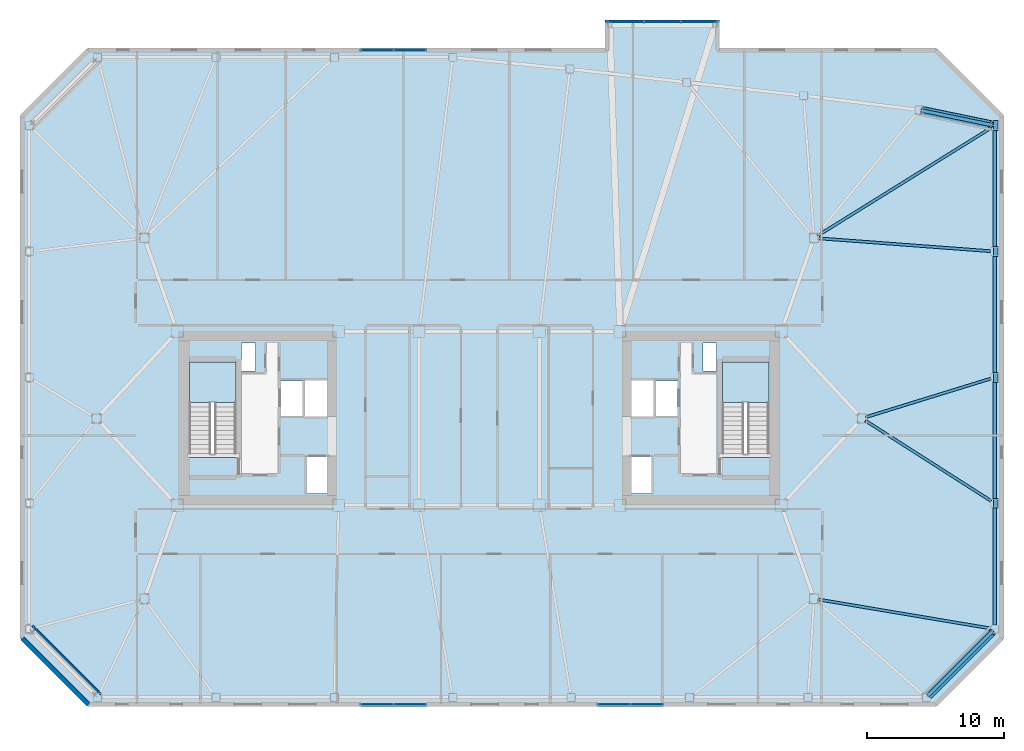
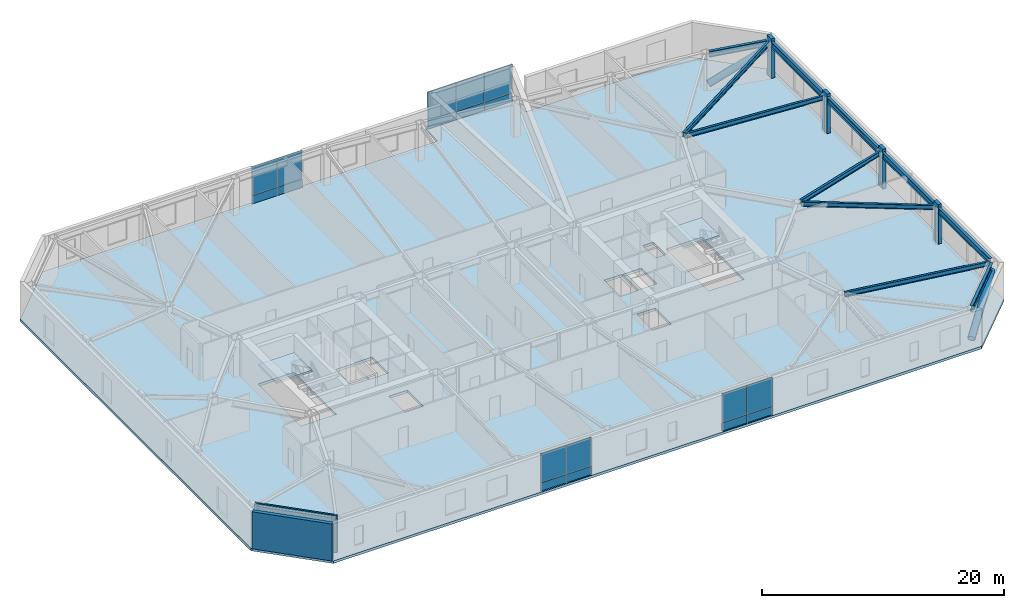
# One storey, part 11 of 20: 18 plates, 11 beams, 6 members, 3 slabs, 2 walls, 6 elements without a shape of their own.
"""IFC4 building model written with IfcOpenShell, lengths in metres."""

from ifc_helpers import new_model, si_unit, direction, frame, frame_2d, origin, origin_2d, place, context, subcontext, project, spatial, polyline, rectangle, hollow_circle, i_section, outline, extrude, material, layer, layer_set, material_profile, profile_set, type_object, element, aggregate, save


model = new_model("IFC4")

# Units and contexts
model_context = context("Model", 3, precision=1e-05, world=origin(), true_north=direction((0.0, 1.0)))
body_context = subcontext(model_context, "Body", "Model", "MODEL_VIEW")
ifc_project = project(units=[si_unit("LENGTHUNIT", "METRE"), si_unit("AREAUNIT", "SQUARE_METRE"), si_unit("VOLUMEUNIT", "CUBIC_METRE"), si_unit("PLANEANGLEUNIT", "RADIAN"), si_unit("MASSUNIT", "GRAM", prefix="KILO")], contexts=[model_context])

# Site, building, storey
site_placement = place(None, origin())
site = spatial("IfcSite", under=ifc_project, at=site_placement, CompositionType="ELEMENT")
building_placement = place(site_placement, origin())
building = spatial("IfcBuilding", under=site, at=building_placement, Name="Tavrogorsk Clinical Tower", CompositionType="ELEMENT")
storey_placement = place(building_placement, frame((0.0, 0.0, 176.199951171875)))
storey = spatial("IfcBuildingStorey", under=building, at=storey_placement, Name="L40", CompositionType="ELEMENT", Elevation=176.199951171875)

# Members
ifc_material_1 = material(Name="Structural steel S440", Category="steel")
ifc_material_profile_1 = material_profile(ifc_material_1, hollow_circle(Radius=0.304931640625, WallThickness=0.02490234375, at=origin_2d()), Name="CHS-610x25")
ifc_profile_set_1 = profile_set([ifc_material_profile_1], Name="Structural steel S440")
member_type_1 = type_object("IfcMemberType", Name="ExoBrace_CHS610", PredefinedType="BRACE", material=ifc_profile_set_1)
member_1_placement = place(storey_placement, frame((32.922607421875, -20.217529296875, 0.4130859375), z_axis=(0.657738695475, 0.657773644396, 0.3670335696), x_axis=(-0.707125566484, 0.70708799539, 0.0)))
element("IfcMember", 1, at=member_1_placement, inside=storey, type_object=member_type_1, Name="L40 Corner Exoskeleton Brace S8-E1", PredefinedType="BRACE", context=body_context, shape_type="SweptSolid", body=[
    extrude(hollow_circle(Radius=0.304931640625, WallThickness=0.02490234375, at=origin_2d()), origin(), (0.0, 0.0, 1.0), 6.985595703125),
])
member_2_placement = place(storey_placement, frame((32.461669921875, 22.509765625, 0.4365234375), z_axis=(0.877871206027, -0.181924853718, 0.442996042002), x_axis=(0.202922555913, 0.979194789764, 0.0)))
element("IfcMember", 2, at=member_2_placement, inside=storey, type_object=member_type_1, Name="L40 Corner Exoskeleton Brace E5-N1", PredefinedType="BRACE", context=body_context, shape_type="SweptSolid", body=[
    extrude(hollow_circle(Radius=0.304931640625, WallThickness=0.02490234375, at=origin_2d()), origin(), (0.0, 0.0, 1.0), 5.681884765625),
])

# Beams
ifc_material_2 = material(Name="Structural steel S355", Category="steel")
ifc_material_profile_2 = material_profile(ifc_material_2, i_section(OverallWidth=0.199951171875, OverallDepth=0.449951171875, WebThickness=0.011474609375, FlangeThickness=0.01806640625, at=origin_2d()), Name="B-450x200x11.5x18")
ifc_profile_set_2 = profile_set([ifc_material_profile_2], Name="Structural steel S355")
beam_type_1 = type_object("IfcBeamType", Name="FloorBeam_B450", PredefinedType="BEAM", material=ifc_profile_set_2)
beam_1_placement = place(storey_placement, frame((24.8056640625, -13.251220703125, 3.51513671875), z_axis=(0.986191418361, -0.165609439197, 0.0), x_axis=(0.165609439197, 0.986191418361, 0.0)))
element("IfcBeam", 3, at=beam_1_placement, inside=storey, type_object=beam_type_1, Name="L40 Radial Floor Beam E1", PredefinedType="BEAM", context=body_context, shape_type="SweptSolid", body=[
    extrude(i_section(OverallWidth=0.199951171875, OverallDepth=0.449951171875, WebThickness=0.011474609375, FlangeThickness=0.01806640625, at=origin_2d()), origin(), (0.0, 0.0, 1.0), 12.787109375),
])
beam_2_placement = place(storey_placement, frame((28.26123046875, -0.1669921875, 3.51513671875), z_axis=(0.842699642064, -0.538383983106, 0.0), x_axis=(0.538383983106, 0.842699642064, 0.0)))
element("IfcBeam", 4, at=beam_2_placement, inside=storey, type_object=beam_type_1, Name="L40 Radial Floor Beam E2", PredefinedType="BEAM", context=body_context, shape_type="SweptSolid", body=[
    extrude(i_section(OverallWidth=0.199951171875, OverallDepth=0.449951171875, WebThickness=0.011474609375, FlangeThickness=0.01806640625, at=origin_2d()), origin(), (0.0, 0.0, 1.0), 10.916259765625),
])
beam_3_placement = place(storey_placement, frame((28.296142578125, 0.09130859375, 3.51513671875), z_axis=(0.955521187686, 0.294922464187, 0.0), x_axis=(-0.294922464187, 0.955521187686, 0.0)))
element("IfcBeam", 5, at=beam_3_placement, inside=storey, type_object=beam_type_1, Name="L40 Radial Floor Beam E3", PredefinedType="BEAM", context=body_context, shape_type="SweptSolid", body=[
    extrude(i_section(OverallWidth=0.199951171875, OverallDepth=0.449951171875, WebThickness=0.011474609375, FlangeThickness=0.01806640625, at=origin_2d()), origin(), (0.0, 0.0, 1.0), 9.5546875),
])
beam_4_placement = place(storey_placement, frame((24.80908203125, 13.1767578125, 3.51513671875), z_axis=(0.997207767172, -0.074677098845, 0.0), x_axis=(0.074677098845, 0.997207767172, 0.0)))
element("IfcBeam", 6, at=beam_4_placement, inside=storey, type_object=beam_type_1, Name="L40 Radial Floor Beam E4", PredefinedType="BEAM", context=body_context, shape_type="SweptSolid", body=[
    extrude(i_section(OverallWidth=0.199951171875, OverallDepth=0.449951171875, WebThickness=0.011474609375, FlangeThickness=0.01806640625, at=origin_2d()), origin(), (0.0, 0.0, 1.0), 12.63916015625),
])
beam_5_placement = place(storey_placement, frame((24.76318359375, 13.36376953125, 3.51513671875), z_axis=(0.849229115923, 0.528024534154, 0.0), x_axis=(-0.528024534154, 0.849229115923, 0.0)))
element("IfcBeam", 7, at=beam_5_placement, inside=storey, type_object=beam_type_1, Name="L40 Radial Floor Beam E5", PredefinedType="BEAM", context=body_context, shape_type="SweptSolid", body=[
    extrude(i_section(OverallWidth=0.199951171875, OverallDepth=0.449951171875, WebThickness=0.011474609375, FlangeThickness=0.01806640625, at=origin_2d()), origin(), (0.0, 0.0, 1.0), 14.94921875),
])

# Members
ifc_material_3 = material(Name="Precast concrete B45 with limestone cladding", Category="masonry")
ifc_material_profile_3 = material_profile(ifc_material_3, rectangle(XDim=0.320068359375, YDim=0.719970703125, at=origin_2d()), Name="LIMESTONE-FIN-320x720")
ifc_profile_set_3 = profile_set([ifc_material_profile_3], Name="Precast concrete B45 with limestone cladding")
member_type_2 = type_object("IfcMemberType", Name="LimestonePleatFin_320x720", PredefinedType="USERDEFINED", material=ifc_profile_set_3)
for number, where, z_axis, x_axis, name in (
    (8, (37.800048828125, -6.2099609375, 0.0), (0.0, 0.0, 1.0), (1.0, 0.0, 0.0), "L40 E Pleated Stone Fin 1"),
    (9, (37.800048828125, 3.0, 0.0), (0.0, 0.0, 1.0), (1.0, 0.0, 0.0), "L40 E Pleated Stone Fin 2"),
    (10, (37.800048828125, 12.2099609375, 0.0), (0.0, 0.0, 1.0), (1.0, 0.0, 0.0), "L40 E Pleated Stone Fin 3"),
    (11, (37.800048828125, 21.419921875, 0.0), (0.0, 0.0, 1.0), (1.0, 0.0, 0.0), "L40 E Pleated Stone Fin 4"),
):
    element("IfcMember", number, at=place(storey_placement, frame(where, z_axis=z_axis, x_axis=x_axis)), inside=storey, type_object=member_type_2, Name=name, ObjectType="FIN", PredefinedType="USERDEFINED", context=body_context, shape_type="SweptSolid", body=[
        extrude(rectangle(XDim=0.320068359375, YDim=0.719970703125, at=origin_2d()), origin(), (0.0, 0.0, 1.0), 4.0),
    ])

# Beams
ifc_material_4 = material(Name="Structural steel S390", Category="steel")
ifc_material_profile_4 = material_profile(ifc_material_4, i_section(OverallWidth=0.260009765625, OverallDepth=0.60009765625, WebThickness=0.014892578125, FlangeThickness=0.02392578125, at=origin_2d()), Name="B-600x260x15x24")
ifc_profile_set_4 = profile_set([ifc_material_profile_4], Name="Structural steel S390")
beam_type_2 = type_object("IfcBeamType", Name="SpandrelBeam_B600", PredefinedType="SPANDREL", material=ifc_profile_set_4)
beam_6_placement = place(storey_placement, frame((32.937744140625, -20.2021484375, 3.43994140625), z_axis=(0.707106781187, 0.707106781187, 0.0), x_axis=(-0.707106781187, 0.707106781187, 0.0)))
element("IfcBeam", 12, at=beam_6_placement, inside=storey, type_object=beam_type_2, Name="L40 Perimeter Spandrel S8-E1", PredefinedType="SPANDREL", context=body_context, shape_type="SweptSolid", body=[
    extrude(i_section(OverallWidth=0.260009765625, OverallDepth=0.60009765625, WebThickness=0.014892578125, FlangeThickness=0.02392578125, at=origin_2d()), origin(), (0.0, 0.0, 1.0), 6.455078125),
])
for number, where, z_axis, x_axis, name in (
    (13, (37.719970703125, -15.112060546875, 3.43994140625), (0.0, 1.0, 0.0), (-1.0, 0.0, 0.0), "L40 Perimeter Spandrel E1-E2"),
    (14, (37.719970703125, -5.902099609375, 3.43994140625), (0.0, 1.0, 0.0), (-1.0, 0.0, 0.0), "L40 Perimeter Spandrel E2-E3"),
    (15, (37.719970703125, 3.30810546875, 3.43994140625), (0.0, 1.0, 0.0), (-1.0, 0.0, 0.0), "L40 Perimeter Spandrel E3-E4"),
    (16, (37.719970703125, 12.51806640625, 3.43994140625), (0.0, 1.0, 0.0), (-1.0, 0.0, 0.0), "L40 Perimeter Spandrel E4-E5"),
):
    element("IfcBeam", number, at=place(storey_placement, frame(where, z_axis=z_axis, x_axis=x_axis)), inside=storey, type_object=beam_type_2, Name=name, PredefinedType="SPANDREL", context=body_context, shape_type="SweptSolid", body=[
        extrude(i_section(OverallWidth=0.260009765625, OverallDepth=0.60009765625, WebThickness=0.014892578125, FlangeThickness=0.02392578125, at=origin_2d()), origin(), (0.0, 0.0, 1.0), 8.593994140625),
    ])
beam_7_placement = place(storey_placement, frame((37.41845703125, 21.482421875, 3.43994140625), z_axis=(-0.979184643877, 0.202971508337, 0.0), x_axis=(-0.202971508337, -0.979184643877, 0.0)))
element("IfcBeam", 17, at=beam_7_placement, inside=storey, type_object=beam_type_2, Name="L40 Perimeter Spandrel E5-N1", PredefinedType="SPANDREL", context=body_context, shape_type="SweptSolid", body=[
    extrude(i_section(OverallWidth=0.260009765625, OverallDepth=0.60009765625, WebThickness=0.014892578125, FlangeThickness=0.02392578125, at=origin_2d()), origin(), (0.0, 0.0, 1.0), 5.0302734375),
])

# Curtain wall, plates
ifc_material_5 = material(Name="Anodised aluminium and triple IGU glazing", Category="aluminium")
ifc_layer_1 = layer(ifc_material_5, 0.179931640625)
ifc_layer_set_1 = layer_set([ifc_layer_1], Name="Anodised aluminium and triple IGU glazing")
curtain_wall_type_1 = type_object("IfcCurtainWallType", Name="CW3_SouthSlot", PredefinedType="NOTDEFINED", material=ifc_layer_set_1)
curtain_wall_1_placement = place(storey_placement, origin())
curtain_wall_1 = element("IfcCurtainWall", 18, at=curtain_wall_1_placement, inside=storey, type_object=curtain_wall_type_1, Name="L40 Curtain Wall CW-L40-S-SLOT-1", PredefinedType="NOTDEFINED")
ifc_material_6 = material(Name="Honed Podolsk limestone spandrel panel", Category="masonry")
ifc_layer_2 = layer(ifc_material_6, 0.080078125)
ifc_layer_set_2 = layer_set([ifc_layer_2], Name="Honed Podolsk limestone spandrel panel")
plate_type_1 = type_object("IfcPlateType", Name="CwSpandrelStonePanel_80", PredefinedType="CURTAIN_PANEL", material=ifc_layer_set_2)
plate_1_placement = place(storey_placement, frame((-7.470947265625, -20.929931640625, 0.002197265625), z_axis=(0.0, 0.0, 1.0), x_axis=(1.0, 0.0, 0.0)))
plate_1 = element("IfcPlate", 19, at=plate_1_placement, type_object=plate_type_1, Name="CW-L40-S-SLOT-1 Stone Spandrel Panel 1", PredefinedType="CURTAIN_PANEL", context=body_context, shape_type="SweptSolid", body=[
    extrude(rectangle(XDim=2.39208984375, YDim=0.080078125, at=origin_2d()), origin(), (0.0, 0.0, 1.0), 0.8359375),
])
plate_2_placement = place(storey_placement, frame((-5.054931640625, -20.929931640625, 0.002197265625), z_axis=(0.0, 0.0, 1.0), x_axis=(1.0, 0.0, 0.0)))
plate_2 = element("IfcPlate", 20, at=plate_2_placement, type_object=plate_type_1, Name="CW-L40-S-SLOT-1 Stone Spandrel Panel 2", PredefinedType="CURTAIN_PANEL", context=body_context, shape_type="SweptSolid", body=[
    extrude(rectangle(XDim=2.39208984375, YDim=0.080078125, at=origin_2d()), origin(), (0.0, 0.0, 1.0), 0.8359375),
])

curtain_wall_2_placement = place(storey_placement, origin())
curtain_wall_2 = element("IfcCurtainWall", 21, at=curtain_wall_2_placement, inside=storey, type_object=curtain_wall_type_1, Name="L40 Curtain Wall CW-L40-S-SLOT-2", PredefinedType="NOTDEFINED")
plate_3_placement = place(storey_placement, frame((9.854736328125, -20.929931640625, 0.002197265625), z_axis=(0.0, 0.0, 1.0), x_axis=(1.0, 0.0, 0.0)))
plate_3 = element("IfcPlate", 22, at=plate_3_placement, type_object=plate_type_1, Name="CW-L40-S-SLOT-2 Stone Spandrel Panel 1", PredefinedType="CURTAIN_PANEL", context=body_context, shape_type="SweptSolid", body=[
    extrude(rectangle(XDim=2.39208984375, YDim=0.080078125, at=origin_2d()), origin(), (0.0, 0.0, 1.0), 0.8359375),
])
plate_4_placement = place(storey_placement, frame((12.270751953125, -20.929931640625, 0.002197265625), z_axis=(0.0, 0.0, 1.0), x_axis=(1.0, 0.0, 0.0)))
plate_4 = element("IfcPlate", 23, at=plate_4_placement, type_object=plate_type_1, Name="CW-L40-S-SLOT-2 Stone Spandrel Panel 2", PredefinedType="CURTAIN_PANEL", context=body_context, shape_type="SweptSolid", body=[
    extrude(rectangle(XDim=2.39208984375, YDim=0.080078125, at=origin_2d()), origin(), (0.0, 0.0, 1.0), 0.8359375),
])

ifc_material_7 = material(Name="Anodised aluminium and triple IGU glazing", Category="aluminium")
ifc_layer_3 = layer(ifc_material_7, 0.179931640625)
ifc_layer_set_3 = layer_set([ifc_layer_3], Name="Anodised aluminium and triple IGU glazing")
curtain_wall_type_2 = type_object("IfcCurtainWallType", Name="CW2_NorthSlot", PredefinedType="NOTDEFINED", material=ifc_layer_set_3)
curtain_wall_3_placement = place(storey_placement, origin())
curtain_wall_3 = element("IfcCurtainWall", 24, at=curtain_wall_3_placement, inside=storey, type_object=curtain_wall_type_2, Name="L40 Curtain Wall CW-L40-N-SLOT-1", PredefinedType="NOTDEFINED")
plate_5_placement = place(storey_placement, frame((-5.054931640625, 26.929931640625, 0.002197265625), z_axis=(0.0, 0.0, 1.0), x_axis=(-1.0, 0.0, 0.0)))
plate_5 = element("IfcPlate", 25, at=plate_5_placement, type_object=plate_type_1, Name="CW-L40-N-SLOT-1 Stone Spandrel Panel 1", PredefinedType="CURTAIN_PANEL", context=body_context, shape_type="SweptSolid", body=[
    extrude(rectangle(XDim=2.39208984375, YDim=0.080078125, at=origin_2d()), origin(), (0.0, 0.0, 1.0), 0.8359375),
])
plate_6_placement = place(storey_placement, frame((-7.470947265625, 26.929931640625, 0.002197265625), z_axis=(0.0, 0.0, 1.0), x_axis=(-1.0, 0.0, 0.0)))
plate_6 = element("IfcPlate", 26, at=plate_6_placement, type_object=plate_type_1, Name="CW-L40-N-SLOT-1 Stone Spandrel Panel 2", PredefinedType="CURTAIN_PANEL", context=body_context, shape_type="SweptSolid", body=[
    extrude(rectangle(XDim=2.39208984375, YDim=0.080078125, at=origin_2d()), origin(), (0.0, 0.0, 1.0), 0.8359375),
])

ifc_material_8 = material(Name="Anodised aluminium and triple IGU glazing", Category="aluminium")
ifc_layer_4 = layer(ifc_material_8, 0.179931640625)
ifc_layer_set_4 = layer_set([ifc_layer_4], Name="Anodised aluminium and triple IGU glazing")
curtain_wall_type_3 = type_object("IfcCurtainWallType", Name="CW4_DayroomBox", PredefinedType="NOTDEFINED", material=ifc_layer_set_4)
curtain_wall_4_placement = place(storey_placement, origin())
curtain_wall_4 = element("IfcCurtainWall", 27, at=curtain_wall_4_placement, inside=storey, type_object=curtain_wall_type_3, Name="L40 Curtain Wall CW-DRB-06-L40", PredefinedType="NOTDEFINED")
plate_7_placement = place(storey_placement, frame((10.694091796875, 29.0, 0.002197265625), z_axis=(0.0, 0.0, 1.0), x_axis=(1.0, 0.0, 0.0)))
plate_7 = element("IfcPlate", 28, at=plate_7_placement, type_object=plate_type_1, Name="CW-DRB-06-L40 Stone Spandrel Panel 1", PredefinedType="CURTAIN_PANEL", context=body_context, shape_type="SweptSolid", body=[
    extrude(rectangle(XDim=2.68798828125, YDim=0.080078125, at=origin_2d()), origin(), (0.0, 0.0, 1.0), 0.8359375),
])
plate_8_placement = place(storey_placement, frame((13.39990234375, 29.0, 0.002197265625), z_axis=(0.0, 0.0, 1.0), x_axis=(1.0, 0.0, 0.0)))
plate_8 = element("IfcPlate", 29, at=plate_8_placement, type_object=plate_type_1, Name="CW-DRB-06-L40 Stone Spandrel Panel 2", PredefinedType="CURTAIN_PANEL", context=body_context, shape_type="SweptSolid", body=[
    extrude(rectangle(XDim=2.676025390625, YDim=0.080078125, at=origin_2d()), origin(), (0.0, 0.0, 1.0), 0.8359375),
])
plate_9_placement = place(storey_placement, frame((16.10595703125, 29.0, 0.002197265625), z_axis=(0.0, 0.0, 1.0), x_axis=(1.0, 0.0, 0.0)))
plate_9 = element("IfcPlate", 30, at=plate_9_placement, type_object=plate_type_1, Name="CW-DRB-06-L40 Stone Spandrel Panel 3", PredefinedType="CURTAIN_PANEL", context=body_context, shape_type="SweptSolid", body=[
    extrude(rectangle(XDim=2.68798828125, YDim=0.080078125, at=origin_2d()), origin(), (0.0, 0.0, 1.0), 0.8359375),
])

# Plate
ifc_material_9 = material(Name="Triple low-E argon insulated glass", Category="glass")
ifc_layer_5 = layer(ifc_material_9, 0.048095703125)
ifc_layer_set_5 = layer_set([ifc_layer_5], Name="Triple low-E argon insulated glass")
plate_type_2 = type_object("IfcPlateType", Name="CwVisionGlassPanel_48", PredefinedType="CURTAIN_PANEL", material=ifc_layer_set_5)
plate_10_placement = place(storey_placement, frame((-7.470947265625, -20.929931640625, 0.862060546875), z_axis=(0.0, 0.0, 1.0), x_axis=(1.0, 0.0, 0.0)))
plate_10 = element("IfcPlate", 31, at=plate_10_placement, type_object=plate_type_2, Name="CW-L40-S-SLOT-1 Glazing Panel 1", PredefinedType="CURTAIN_PANEL", context=body_context, shape_type="SweptSolid", body=[
    extrude(rectangle(XDim=2.39208984375, YDim=0.048095703125, at=origin_2d()), origin(), (0.0, 0.0, 1.0), 2.8759765625),
])

plate_11_placement = place(storey_placement, frame((-5.054931640625, -20.929931640625, 0.862060546875), z_axis=(0.0, 0.0, 1.0), x_axis=(1.0, 0.0, 0.0)))
plate_11 = element("IfcPlate", 32, at=plate_11_placement, type_object=plate_type_2, Name="CW-L40-S-SLOT-1 Glazing Panel 2", PredefinedType="CURTAIN_PANEL", context=body_context, shape_type="SweptSolid", body=[
    extrude(rectangle(XDim=2.39208984375, YDim=0.048095703125, at=origin_2d()), origin(), (0.0, 0.0, 1.0), 2.8759765625),
])

aggregate(curtain_wall_1, [plate_1, plate_10, plate_2, plate_11])

plate_12_placement = place(storey_placement, frame((9.854736328125, -20.929931640625, 0.862060546875), z_axis=(0.0, 0.0, 1.0), x_axis=(1.0, 0.0, 0.0)))
plate_12 = element("IfcPlate", 33, at=plate_12_placement, type_object=plate_type_2, Name="CW-L40-S-SLOT-2 Glazing Panel 1", PredefinedType="CURTAIN_PANEL", context=body_context, shape_type="SweptSolid", body=[
    extrude(rectangle(XDim=2.39208984375, YDim=0.048095703125, at=origin_2d()), origin(), (0.0, 0.0, 1.0), 2.8759765625),
])

plate_13_placement = place(storey_placement, frame((12.270751953125, -20.929931640625, 0.862060546875), z_axis=(0.0, 0.0, 1.0), x_axis=(1.0, 0.0, 0.0)))
plate_13 = element("IfcPlate", 34, at=plate_13_placement, type_object=plate_type_2, Name="CW-L40-S-SLOT-2 Glazing Panel 2", PredefinedType="CURTAIN_PANEL", context=body_context, shape_type="SweptSolid", body=[
    extrude(rectangle(XDim=2.39208984375, YDim=0.048095703125, at=origin_2d()), origin(), (0.0, 0.0, 1.0), 2.8759765625),
])

aggregate(curtain_wall_2, [plate_3, plate_12, plate_4, plate_13])

plate_14_placement = place(storey_placement, frame((-5.054931640625, 26.929931640625, 0.862060546875), z_axis=(0.0, 0.0, 1.0), x_axis=(-1.0, 0.0, 0.0)))
plate_14 = element("IfcPlate", 35, at=plate_14_placement, type_object=plate_type_2, Name="CW-L40-N-SLOT-1 Glazing Panel 1", PredefinedType="CURTAIN_PANEL", context=body_context, shape_type="SweptSolid", body=[
    extrude(rectangle(XDim=2.39208984375, YDim=0.048095703125, at=origin_2d()), origin(), (0.0, 0.0, 1.0), 2.8759765625),
])

plate_15_placement = place(storey_placement, frame((-7.470947265625, 26.929931640625, 0.862060546875), z_axis=(0.0, 0.0, 1.0), x_axis=(-1.0, 0.0, 0.0)))
plate_15 = element("IfcPlate", 36, at=plate_15_placement, type_object=plate_type_2, Name="CW-L40-N-SLOT-1 Glazing Panel 2", PredefinedType="CURTAIN_PANEL", context=body_context, shape_type="SweptSolid", body=[
    extrude(rectangle(XDim=2.39208984375, YDim=0.048095703125, at=origin_2d()), origin(), (0.0, 0.0, 1.0), 2.8759765625),
])

aggregate(curtain_wall_3, [plate_5, plate_14, plate_6, plate_15])

plate_16_placement = place(storey_placement, frame((10.694091796875, 29.0, 0.862060546875), z_axis=(0.0, 0.0, 1.0), x_axis=(1.0, 0.0, 0.0)))
plate_16 = element("IfcPlate", 37, at=plate_16_placement, type_object=plate_type_2, Name="CW-DRB-06-L40 Glazing Panel 1", PredefinedType="CURTAIN_PANEL", context=body_context, shape_type="SweptSolid", body=[
    extrude(rectangle(XDim=2.68798828125, YDim=0.048095703125, at=origin_2d()), origin(), (0.0, 0.0, 1.0), 2.8759765625),
])

plate_17_placement = place(storey_placement, frame((13.39990234375, 29.0, 0.862060546875), z_axis=(0.0, 0.0, 1.0), x_axis=(1.0, 0.0, 0.0)))
plate_17 = element("IfcPlate", 38, at=plate_17_placement, type_object=plate_type_2, Name="CW-DRB-06-L40 Glazing Panel 2", PredefinedType="CURTAIN_PANEL", context=body_context, shape_type="SweptSolid", body=[
    extrude(rectangle(XDim=2.676025390625, YDim=0.048095703125, at=origin_2d()), origin(), (0.0, 0.0, 1.0), 2.8759765625),
])

plate_18_placement = place(storey_placement, frame((16.10595703125, 29.0, 0.862060546875), z_axis=(0.0, 0.0, 1.0), x_axis=(1.0, 0.0, 0.0)))
plate_18 = element("IfcPlate", 39, at=plate_18_placement, type_object=plate_type_2, Name="CW-DRB-06-L40 Glazing Panel 3", PredefinedType="CURTAIN_PANEL", context=body_context, shape_type="SweptSolid", body=[
    extrude(rectangle(XDim=2.68798828125, YDim=0.048095703125, at=origin_2d()), origin(), (0.0, 0.0, 1.0), 2.8759765625),
])

aggregate(curtain_wall_4, [plate_7, plate_16, plate_8, plate_17, plate_9, plate_18])

# Stair, slab
ifc_material_10 = material(Name="Concrete B60", Category="concrete")
stair_type = type_object("IfcStairType", Name="CoreStairAssembly", PredefinedType="HALF_TURN_STAIR", material=ifc_material_10)
stair_1_placement = place(storey_placement, origin())
stair_1 = element("IfcStair", 40, at=stair_1_placement, inside=storey, type_object=stair_type, Name="L40 ST-W", PredefinedType="HALF_TURN_STAIR")
ifc_material_11 = material(Name="Concrete B60", Category="concrete")
ifc_layer_6 = layer(ifc_material_11, 0.199951171875)
ifc_layer_set_6 = layer_set([ifc_layer_6], Name="Concrete B60")
slab_type_1 = type_object("IfcSlabType", Name="StairLanding_200", PredefinedType="LANDING", material=ifc_layer_set_6)
slab_1_placement = place(storey_placement, frame((0.0, 0.0, 1.800048828125)))
slab_1 = element("IfcSlab", 41, at=slab_1_placement, type_object=slab_type_1, Name="ST-W landing 1", PredefinedType="LANDING", context=body_context, shape_type="SweptSolid", body=[
    extrude(outline(polyline([(-17.800048828125, 1.1650390625), (-17.800048828125, 4.125), (-21.199951171875, 4.125), (-21.199951171875, 1.1650390625), (-17.800048828125, 1.1650390625)])), origin(), (0.0, 0.0, 1.0), 0.199951171875),
])
aggregate(stair_1, [slab_1])

stair_2_placement = place(storey_placement, origin())
stair_2 = element("IfcStair", 42, at=stair_2_placement, inside=storey, type_object=stair_type, Name="L40 ST-E", PredefinedType="HALF_TURN_STAIR")
slab_2_placement = place(storey_placement, frame((0.0, 0.0, 1.800048828125)))
slab_2 = element("IfcSlab", 43, at=slab_2_placement, type_object=slab_type_1, Name="ST-E landing 1", PredefinedType="LANDING", context=body_context, shape_type="SweptSolid", body=[
    extrude(outline(polyline([(21.199951171875, 1.1650390625), (21.199951171875, 4.125), (17.800048828125, 4.125), (17.800048828125, 1.1650390625), (21.199951171875, 1.1650390625)])), origin(), (0.0, 0.0, 1.0), 0.199951171875),
])
aggregate(stair_2, [slab_2])

# Slab
ifc_material_12 = material(Name="Concrete B60", Category="concrete")
ifc_layer_7 = layer(ifc_material_12, 0.260009765625)
ifc_layer_set_7 = layer_set([ifc_layer_7], Name="Concrete B60")
slab_type_2 = type_object("IfcSlabType", Name="WardSlab_260", PredefinedType="FLOOR", material=ifc_layer_set_7)
slab_3_placement = place(storey_placement, frame((0.0, 0.0, -0.260009765625)))
element("IfcSlab", 44, at=slab_3_placement, inside=storey, type_object=slab_type_2, Name="L40 Structural Slab", PredefinedType="FLOOR", context=body_context, shape_type="SweptSolid", body=[
    extrude(outline(polyline([(33.39990234375, 27.10009765625), (38.39990234375, 22.10009765625), (38.39990234375, -16.10009765625), (33.39990234375, -21.10009765625), (-28.60009765625, -21.10009765625), (-33.60009765625, -16.10009765625), (-33.60009765625, 22.10009765625), (-28.60009765625, 27.10009765625), (9.199951171875, 27.10009765625), (9.199951171875, 29.14990234375), (17.60009765625, 29.14990234375), (17.60009765625, 27.10009765625), (33.39990234375, 27.10009765625)]), holes=[polyline([(-17.800048828125, -2.8798828125), (-17.800048828125, 4.125), (-21.199951171875, 4.125), (-21.199951171875, -2.8798828125), (-17.800048828125, -2.8798828125)]), polyline([(21.199951171875, -2.8798828125), (21.199951171875, 4.125), (17.800048828125, 4.125), (17.800048828125, -2.8798828125), (21.199951171875, -2.8798828125)]), polyline([(-14.6201171875, 0.169921875), (-12.860107421875, 0.169921875), (-12.860107421875, 2.72998046875), (-14.6201171875, 2.72998046875), (-14.6201171875, 0.169921875)]), polyline([(-12.72998046875, -5.47998046875), (-10.969970703125, -5.47998046875), (-10.969970703125, -2.820068359375), (-12.72998046875, -2.820068359375), (-12.72998046875, -5.47998046875)]), polyline([(-12.840087890625, 0.1201171875), (-11.080078125, 0.1201171875), (-11.080078125, 2.780029296875), (-12.840087890625, 2.780029296875), (-12.840087890625, 0.1201171875)]), polyline([(12.860107421875, 0.169921875), (14.6201171875, 0.169921875), (14.6201171875, 2.72998046875), (12.860107421875, 2.72998046875), (12.860107421875, 0.169921875)]), polyline([(10.969970703125, -5.47998046875), (12.72998046875, -5.47998046875), (12.72998046875, -2.820068359375), (10.969970703125, -2.820068359375), (10.969970703125, -5.47998046875)]), polyline([(11.080078125, 0.1201171875), (12.840087890625, 0.1201171875), (12.840087890625, 2.780029296875), (11.080078125, 2.780029296875), (11.080078125, 0.1201171875)]), polyline([(-17.3798828125, 3.449951171875), (-16.3798828125, 3.449951171875), (-16.3798828125, 5.5), (-17.3798828125, 5.5), (-17.3798828125, 3.449951171875)]), polyline([(16.3798828125, 3.449951171875), (17.3798828125, 3.449951171875), (17.3798828125, 5.5), (16.3798828125, 5.5), (16.3798828125, 3.449951171875)])]), origin(), (0.0, 0.0, 1.0), 0.260009765625),
])

# Walls
ifc_material_13 = material(Name="Lightweight concrete blockwork B15", Category="masonry")
ifc_layer_8 = layer(ifc_material_13, 0.159912109375)
ifc_layer_set_8 = layer_set([ifc_layer_8], Name="Lightweight concrete blockwork B15")
wall_type_1 = type_object("IfcWallType", Name="PartitionWall_160", PredefinedType="PARTITIONING", material=ifc_layer_set_8)
wall_1_placement = place(storey_placement, frame((-32.6796875, -15.1796875, 0.0), z_axis=(0.0, 0.0, 1.0), x_axis=(0.707106781187, -0.707106781187, 0.0)))
element("IfcWall", 45, at=wall_1_placement, inside=storey, type_object=wall_type_1, Name="L40 Corner Exoskeleton Brace Furring Wall 4", PredefinedType="PARTITIONING", context=body_context, shape_type="SweptSolid", body=[
    extrude(rectangle(XDim=7.071044921875, YDim=0.159912109375, at=frame_2d((3.53564453125, 0.0))), origin(), (0.0, 0.0, 1.0), 3.739990234375),
])
ifc_material_14 = material(Name="Precast concrete B45 with limestone cladding", Category="masonry")
ifc_layer_9 = layer(ifc_material_14, 0.340087890625)
ifc_layer_set_9 = layer_set([ifc_layer_9], Name="Precast concrete B45 with limestone cladding")
wall_type_2 = type_object("IfcWallType", Name="PrecastLimestoneWall_340", PredefinedType="STANDARD", material=ifc_layer_set_9)
wall_2_placement = place(storey_placement, frame((-33.429931640625, -16.10009765625, 0.0), z_axis=(0.0, 0.0, 1.0), x_axis=(0.707106781187, -0.707106781187, 0.0)))
element("IfcWall", 46, at=wall_2_placement, inside=storey, type_object=wall_type_2, Name="L40 Chamfered Corner Wall 4", PredefinedType="STANDARD", context=body_context, shape_type="SweptSolid", body=[
    extrude(rectangle(XDim=6.830322265625, YDim=0.340087890625, at=frame_2d((3.4150390625, 0.0))), origin(), (0.0, 0.0, 1.0), 3.739990234375),
])

save(model, "model.ifc")
